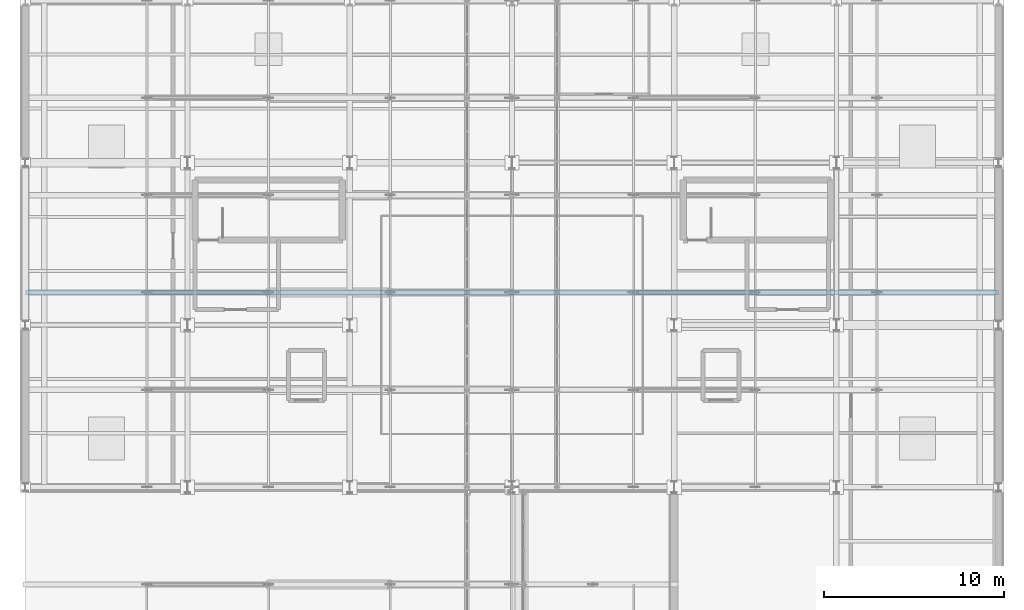
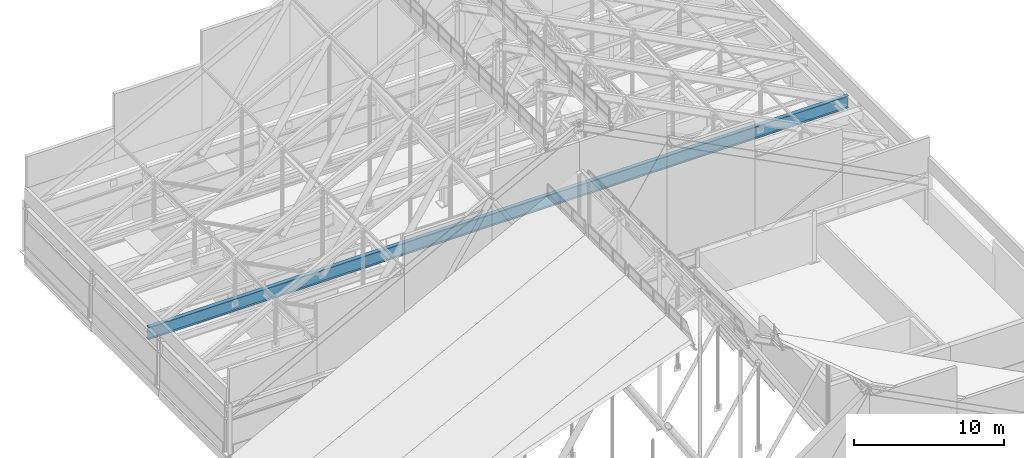
# One storey, part 41 of 84: 1 beam.
"""IFC4 building model written with IfcOpenShell, lengths in metres."""

from ifc_helpers import new_model, si_unit, direction, frame, origin, origin_2d, place, context, subcontext, project, spatial, i_section, extrude, material, material_profile, profile_set, type_object, element, save


model = new_model("IFC4")

# Units and contexts
model_context = context("Model", 3, precision=1e-05, world=origin(), true_north=direction((0.0, 1.0)))
body_context = subcontext(model_context, "Body", "Model", "MODEL_VIEW")
ifc_project = project(units=[si_unit("LENGTHUNIT", "METRE"), si_unit("AREAUNIT", "SQUARE_METRE"), si_unit("VOLUMEUNIT", "CUBIC_METRE"), si_unit("PLANEANGLEUNIT", "RADIAN"), si_unit("MASSUNIT", "GRAM", prefix="KILO")], contexts=[model_context])

# Site, building, storey
site_placement = place(None, origin())
site = spatial("IfcSite", under=ifc_project, at=site_placement, CompositionType="ELEMENT")
building_placement = place(site_placement, origin())
building = spatial("IfcBuilding", under=site, at=building_placement, Name="Sundgate Opera House", CompositionType="ELEMENT")
storey_placement = place(building_placement, frame((0.0, 0.0, 30.60009765625)))
storey = spatial("IfcBuildingStorey", under=building, at=storey_placement, Name="L06", CompositionType="ELEMENT", Elevation=30.60009765625)

# Beam
ifc_material = material(Name="Steel S355ML", Category="steel")
ifc_material_profile = material_profile(ifc_material, i_section(OverallWidth=0.300048828125, OverallDepth=1.0, WebThickness=0.01904296875, FlangeThickness=0.035888671875, at=origin_2d()), Name="HEB 1000")
ifc_profile_set = profile_set([ifc_material_profile], Name="Steel S355ML")
beam_type = type_object("IfcBeamType", Name="BM-TR-HEB1000", PredefinedType="BEAM", material=ifc_profile_set)
beam_placement = place(storey_placement, frame((27.0, 70.800048828125, 3.289794921875), z_axis=(1.0, 0.0, 0.0), x_axis=(0.0, 1.0, 0.0)))
element("IfcBeam", 1, at=beam_placement, inside=storey, type_object=beam_type, Name="L06 Fly-Tower Truss Continuous Tie Girder B3388", PredefinedType="BEAM", context=body_context, shape_type="SweptSolid", body=[
    extrude(i_section(OverallWidth=0.300048828125, OverallDepth=1.0, WebThickness=0.01904296875, FlangeThickness=0.035888671875, at=origin_2d()), origin(), (0.0, 0.0, 1.0), 54.0),
])

save(model, "model.ifc")
